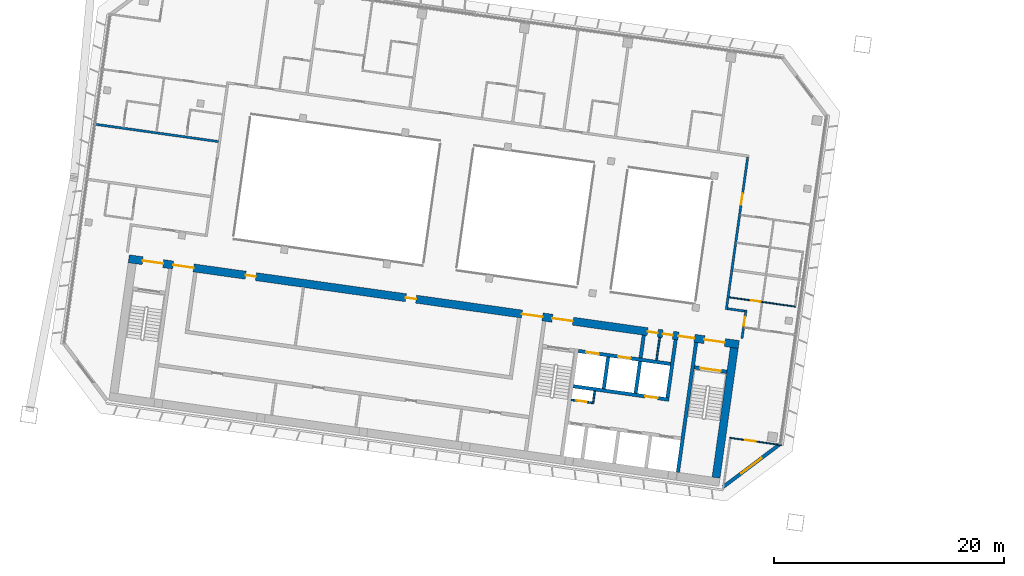
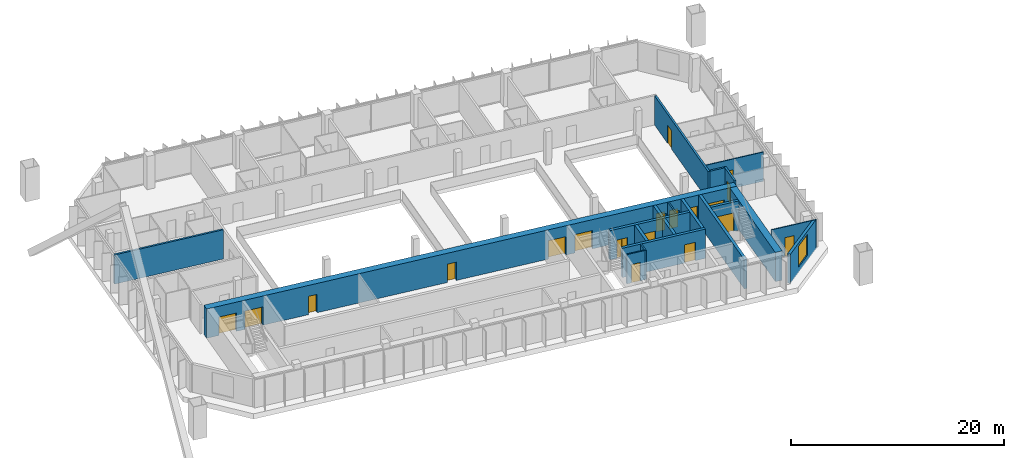
# One storey, part 17 of 28: 20 walls, 19 doors, 1 window, 20 openings.
"""IFC4 building model written with IfcOpenShell, lengths in metres."""

from ifc_helpers import new_model, si_unit, direction, frame, frame_2d, origin, place, context, subcontext, project, spatial, rectangle, extrude, material, layer, layer_set, type_object, element, fill, save


model = new_model("IFC4")

# Units and contexts
model_context = context("Model", 3, precision=1e-05, world=origin(), true_north=direction((0.0, 1.0)))
body_context = subcontext(model_context, "Body", "Model", "MODEL_VIEW")
ifc_project = project(units=[si_unit("LENGTHUNIT", "METRE"), si_unit("AREAUNIT", "SQUARE_METRE"), si_unit("VOLUMEUNIT", "CUBIC_METRE"), si_unit("PLANEANGLEUNIT", "RADIAN"), si_unit("MASSUNIT", "GRAM", prefix="KILO")], contexts=[model_context])

# Site, building, storey
site_placement = place(None, origin())
site = spatial("IfcSite", under=ifc_project, at=site_placement, CompositionType="ELEMENT")
building_placement = place(site_placement, origin())
building = spatial("IfcBuilding", under=site, at=building_placement, Name="Mirante Cascada Hotel Towers", CompositionType="ELEMENT")
storey_placement = place(building_placement, frame((0.0, 0.0, 165.0)))
storey = spatial("IfcBuildingStorey", under=building, at=storey_placement, Name="L38", CompositionType="ELEMENT", Elevation=165.0)

# Walls
ifc_material_1 = material(Name="Fire-rated plasterboard on metal studs")
ifc_layer_1 = layer(ifc_material_1, 0.2)
ifc_layer_set_1 = layer_set([ifc_layer_1], Name="Compartment wall 200 EI 120")
wall_type_1 = type_object("IfcWallType", Name="Compartment wall 200 EI 120", PredefinedType="PARTITIONING", material=ifc_layer_set_1)
wall_1_placement = place(storey_placement, frame((-35.0284, -4.7267, 0.0), z_axis=(0.0, 0.0, 1.0), x_axis=(-0.9902735, 0.1391343, 0.0)))
element("IfcWall", 1, at=wall_1_placement, inside=storey, type_object=wall_type_1, Name="Wall 1-L38-03", PredefinedType="PARTITIONING", context=body_context, shape_type="SweptSolid", body=[
    extrude(rectangle(XDim=1.5, YDim=0.2, at=frame_2d((0.75, 0.0))), origin(), (0.0, 0.0, 1.0), 3.35),
])
wall_2_placement = place(storey_placement, frame((-80.8213, 10.0233, 0.0), z_axis=(0.0, 0.0, 1.0), x_axis=(-0.990268, 0.1391733, 0.0)))
element("IfcWall", 2, at=wall_2_placement, inside=storey, type_object=wall_type_1, Name="Wall 1-L38-11", PredefinedType="PARTITIONING", context=body_context, shape_type="SweptSolid", body=[
    extrude(rectangle(XDim=11.0, YDim=0.2, at=frame_2d((5.5, 0.0))), origin(), (0.0, 0.0, 1.0), 3.35),
])

# Wall, opening, door
wall_3_placement = place(storey_placement, frame((-34.9155, -4.6416, 0.0), z_axis=(0.0, 0.0, 1.0), x_axis=(-0.1391586, -0.9902701, 0.0)))
wall_3 = element("IfcWall", 3, at=wall_3_placement, inside=storey, type_object=wall_type_1, Name="Wall 1-L38-28", PredefinedType="PARTITIONING", context=body_context, shape_type="SweptSolid", body=[
    extrude(rectangle(XDim=2.5, YDim=0.2, at=frame_2d((1.25, 0.0))), origin(), (0.0, 0.0, 1.0), 3.35),
])
opening_1_placement = place(wall_3_placement, frame((0.5833, 0.0, 0.0)))
opening_1 = element("IfcOpeningElement", 4, at=opening_1_placement, cuts=wall_3, Name="Opening D1-L38-27", PredefinedType="OPENING", context=body_context, shape_type="SweptSolid", body=[
    extrude(rectangle(XDim=0.8, YDim=2.1, at=frame_2d((0.4, 1.05))), frame((0.0, 0.1, 0.0), z_axis=(0.0, -1.0, 0.0), x_axis=(1.0, 0.0, 0.0)), (0.0, 0.0, 1.0), 0.2),
])
ifc_material_2 = material(Name="Fire-rated timber door leaf", Category="wood")
door_type_1 = type_object("IfcDoorType", Name="Bathroom door DG4 800x2100 EI 60", OperationType="SINGLE_SWING_LEFT", PredefinedType="DOOR", material=ifc_material_2)
door_1_placement = place(opening_1_placement, frame((0.8, 0.0, 0.0), z_axis=(0.0, 0.0, 1.0), x_axis=(-1.0, 0.0, 0.0)))
door_1 = element("IfcDoor", 5, at=door_1_placement, inside=storey, type_object=door_type_1, Name="Door D1-L38-27", OperationType="SINGLE_SWING_RIGHT", OverallHeight=2.1, OverallWidth=0.8, PredefinedType="DOOR", context=body_context, shape_type="SweptSolid", body=[
    extrude(rectangle(XDim=0.8, YDim=2.1, at=frame_2d((0.4, 1.05))), frame((0.0, 0.025, 0.0), z_axis=(0.0, -1.0, 0.0), x_axis=(1.0, 0.0, 0.0)), (0.0, 0.0, 1.0), 0.05),
])
fill(opening_1, door_1)

wall_4_placement = place(storey_placement, frame((-36.6268, -4.6031, 0.0), z_axis=(0.0, 0.0, 1.0), x_axis=(0.1391789, 0.9902673, 0.0)))
wall_4 = element("IfcWall", 6, at=wall_4_placement, inside=storey, type_object=wall_type_1, Name="Wall 1-L38-29", PredefinedType="PARTITIONING", context=body_context, shape_type="SweptSolid", body=[
    extrude(rectangle(XDim=13.4, YDim=0.2, at=frame_2d((6.7, 0.0))), origin(), (0.0, 0.0, 1.0), 3.35),
])
opening_2_placement = place(wall_4_placement, frame((9.2166, 0.0, 0.0)))
opening_2 = element("IfcOpeningElement", 7, at=opening_2_placement, cuts=wall_4, Name="Opening D1-L38-28", PredefinedType="OPENING", context=body_context, shape_type="SweptSolid", body=[
    extrude(rectangle(XDim=1.0, YDim=2.1, at=frame_2d((0.5, 1.05))), frame((0.0, 0.1, 0.0), z_axis=(0.0, -1.0, 0.0), x_axis=(1.0, 0.0, 0.0)), (0.0, 0.0, 1.0), 0.2),
])
ifc_material_3 = material(Name="Fire-rated timber door leaf", Category="wood")
door_type_2 = type_object("IfcDoorType", Name="Entrance door DG1 1000x2100 EI 60", OperationType="SINGLE_SWING_LEFT", PredefinedType="DOOR", material=ifc_material_3)
door_2_placement = place(opening_2_placement, frame((1.0, 0.0, 0.0), z_axis=(0.0, 0.0, 1.0), x_axis=(-1.0, 0.0, 0.0)))
door_2 = element("IfcDoor", 8, at=door_2_placement, inside=storey, type_object=door_type_2, Name="Door D1-L38-28", OperationType="SINGLE_SWING_RIGHT", OverallHeight=2.1, OverallWidth=1.0, PredefinedType="DOOR", context=body_context, shape_type="SweptSolid", body=[
    extrude(rectangle(XDim=1.0, YDim=2.1, at=frame_2d((0.5, 1.05))), frame((0.0, 0.025, 0.0), z_axis=(0.0, -1.0, 0.0), x_axis=(1.0, 0.0, 0.0)), (0.0, 0.0, 1.0), 0.05),
])
fill(opening_2, door_2)

# Wall
ifc_material_4 = material(Name="Masonry block", Category="masonry")
ifc_layer_2 = layer(ifc_material_4, 0.15)
ifc_layer_set_2 = layer_set([ifc_layer_2], Name="Core room partition 150 block EI 30")
wall_type_2 = type_object("IfcWallType", Name="Core room partition 150 block EI 30", PredefinedType="PARTITIONING", material=ifc_layer_set_2)
wall_5_placement = place(storey_placement, frame((-48.2295, -12.793, 0.0), z_axis=(0.0, 0.0, 1.0), x_axis=(0.1391935, 0.9902652, 0.0)))
element("IfcWall", 9, at=wall_5_placement, inside=storey, type_object=wall_type_2, Name="Core wall partition T1 L38 2", PredefinedType="PARTITIONING", context=body_context, shape_type="SweptSolid", body=[
    extrude(rectangle(XDim=1.1251, YDim=0.15, at=frame_2d((0.5626, 0.0))), origin(), (0.0, 0.0, 1.0), 3.35),
])

# Wall, opening, door
wall_6_placement = place(storey_placement, frame((-48.2933, -12.7083, 0.0), z_axis=(0.0, 0.0, 1.0), x_axis=(-0.990268, 0.1391734, 0.0)))
wall_6 = element("IfcWall", 10, at=wall_6_placement, inside=storey, type_object=wall_type_2, Name="Core wall partition T1 L38 3", PredefinedType="PARTITIONING", context=body_context, shape_type="SweptSolid", body=[
    extrude(rectangle(XDim=1.8251, YDim=0.15, at=frame_2d((0.9126, 0.0))), origin(), (0.0, 0.0, 1.0), 3.35),
])
opening_3_placement = place(wall_6_placement, frame((0.4625, 0.0, 0.0)))
opening_3 = element("IfcOpeningElement", 11, at=opening_3_placement, cuts=wall_6, Name="Opening D1-38-C17", PredefinedType="OPENING", context=body_context, shape_type="SweptSolid", body=[
    extrude(rectangle(XDim=0.9, YDim=2.1, at=frame_2d((0.45, 1.05))), frame((0.0, 0.075, 0.0), z_axis=(0.0, -1.0, 0.0), x_axis=(1.0, 0.0, 0.0)), (0.0, 0.0, 1.0), 0.15),
])
ifc_material_5 = material(Name="Hollow metal fire door leaf")
door_type_3 = type_object("IfcDoorType", Name="Fire door 900x2100 FD60", OperationType="NOTDEFINED", PredefinedType="DOOR", material=ifc_material_5)
door_3_placement = place(opening_3_placement, origin())
door_3 = element("IfcDoor", 12, at=door_3_placement, inside=storey, type_object=door_type_3, Name="Riser door T1 L38 17", OperationType="SINGLE_SWING_LEFT", OverallHeight=2.1, OverallWidth=0.9, PredefinedType="DOOR", context=body_context, shape_type="SweptSolid", body=[
    extrude(rectangle(XDim=0.9, YDim=2.1, at=frame_2d((0.45, 1.05))), frame((0.0, 0.025, 0.0), z_axis=(0.0, -1.0, 0.0), x_axis=(1.0, 0.0, 0.0)), (0.0, 0.0, 1.0), 0.05),
])
fill(opening_3, door_3)

# Walls
wall_7_placement = place(storey_placement, frame((-42.6979, -9.0009, 0.0), z_axis=(0.0, 0.0, 1.0), x_axis=(0.1391529, 0.9902709, 0.0)))
element("IfcWall", 13, at=wall_7_placement, inside=storey, type_object=wall_type_2, Name="Core wall partition T1 L38 4", PredefinedType="PARTITIONING", context=body_context, shape_type="SweptSolid", body=[
    extrude(rectangle(XDim=2.0, YDim=0.15, at=frame_2d((1.0, 0.0))), origin(), (0.0, 0.0, 1.0), 3.35),
])
ifc_material_6 = material(Name="Masonry block", Category="masonry")
ifc_layer_3 = layer(ifc_material_6, 0.3)
ifc_layer_set_3 = layer_set([ifc_layer_3], Name="Core wall 300 block EI 120")
wall_type_3 = type_object("IfcWallType", Name="Core wall 300 block EI 120", PredefinedType="PARTITIONING", material=ifc_layer_set_3)
wall_8_placement = place(storey_placement, frame((-44.0843, -8.8061, 0.0), z_axis=(0.0, 0.0, 1.0), x_axis=(0.1391951, 0.990265, 0.0)))
element("IfcWall", 14, at=wall_8_placement, inside=storey, type_object=wall_type_3, Name="Core wall partition T1 L38 1", PredefinedType="PARTITIONING", context=body_context, shape_type="SweptSolid", body=[
    extrude(rectangle(XDim=2.0001, YDim=0.3, at=frame_2d((1.0001, 0.0))), origin(), (0.0, 0.0, 1.0), 3.35),
])

# Wall, opening, door
ifc_material_7 = material(Name="Plasterboard on metal studs")
ifc_layer_4 = layer(ifc_material_7, 0.1)
ifc_layer_set_4 = layer_set([ifc_layer_4], Name="Partition 100")
wall_type_4 = type_object("IfcWallType", Name="Partition 100", PredefinedType="PARTITIONING", material=ifc_layer_set_4)
wall_9_placement = place(storey_placement, frame((-31.8172, -16.3871, 0.0), z_axis=(0.0, 0.0, 1.0), x_axis=(-0.9902691, 0.1391656, 0.0)))
wall_9 = element("IfcWall", 15, at=wall_9_placement, inside=storey, type_object=wall_type_4, Name="Wall 1-L38-01", PredefinedType="PARTITIONING", context=body_context, shape_type="SweptSolid", body=[
    extrude(rectangle(XDim=4.55, YDim=0.1, at=frame_2d((2.275, 0.0))), origin(), (0.0, 0.0, 1.0), 3.35),
])
opening_4_placement = place(wall_9_placement, frame((2.2711, 0.0, 0.0)))
opening_4 = element("IfcOpeningElement", 16, at=opening_4_placement, cuts=wall_9, Name="Opening D1-L38-01", PredefinedType="OPENING", context=body_context, shape_type="SweptSolid", body=[
    extrude(rectangle(XDim=0.9, YDim=2.1, at=frame_2d((0.45, 1.05))), frame((0.0, 0.05, 0.0), z_axis=(0.0, -1.0, 0.0), x_axis=(1.0, 0.0, 0.0)), (0.0, 0.0, 1.0), 0.1),
])
ifc_material_8 = material(Name="Timber door leaf", Category="wood")
door_type_4 = type_object("IfcDoorType", Name="Room door DG3 900x2100", OperationType="SINGLE_SWING_LEFT", PredefinedType="DOOR", material=ifc_material_8)
door_4_placement = place(opening_4_placement, frame((0.9, 0.0, 0.0), z_axis=(0.0, 0.0, 1.0), x_axis=(-1.0, 0.0, 0.0)))
door_4 = element("IfcDoor", 17, at=door_4_placement, inside=storey, type_object=door_type_4, Name="Door D1-L38-01", OperationType="SINGLE_SWING_RIGHT", OverallHeight=2.1, OverallWidth=0.9, PredefinedType="DOOR", context=body_context, shape_type="SweptSolid", body=[
    extrude(rectangle(XDim=0.9, YDim=2.1, at=frame_2d((0.45, 1.05))), frame((0.0, 0.025, 0.0), z_axis=(0.0, -1.0, 0.0), x_axis=(1.0, 0.0, 0.0)), (0.0, 0.0, 1.0), 0.05),
])
fill(opening_4, door_4)

wall_10_placement = place(storey_placement, frame((-36.3747, -3.5277, 0.0), z_axis=(0.0, 0.0, 1.0), x_axis=(0.9902696, -0.1391624, 0.0)))
wall_10 = element("IfcWall", 18, at=wall_10_placement, inside=storey, type_object=wall_type_4, Name="Wall 1-L38-06", PredefinedType="PARTITIONING", context=body_context, shape_type="SweptSolid", body=[
    extrude(rectangle(XDim=5.8514, YDim=0.1, at=frame_2d((2.9257, 0.0))), origin(), (0.0, 0.0, 1.0), 3.35),
])
opening_5_placement = place(wall_10_placement, frame((1.9514, 0.0, 0.0)))
opening_5 = element("IfcOpeningElement", 19, at=opening_5_placement, cuts=wall_10, Name="Opening D1-L38-05", PredefinedType="OPENING", context=body_context, shape_type="SweptSolid", body=[
    extrude(rectangle(XDim=0.8, YDim=2.1, at=frame_2d((0.4, 1.05))), frame((0.0, 0.05, 0.0), z_axis=(0.0, -1.0, 0.0), x_axis=(1.0, 0.0, 0.0)), (0.0, 0.0, 1.0), 0.1),
])
ifc_material_9 = material(Name="Timber door leaf", Category="wood")
door_type_5 = type_object("IfcDoorType", Name="Bathroom door DG4 800x2100", OperationType="SINGLE_SWING_LEFT", PredefinedType="DOOR", material=ifc_material_9)
door_5_placement = place(opening_5_placement, origin())
door_5 = element("IfcDoor", 20, at=door_5_placement, inside=storey, type_object=door_type_5, Name="Door D1-L38-05", OperationType="SINGLE_SWING_LEFT", OverallHeight=2.1, OverallWidth=0.8, PredefinedType="DOOR", context=body_context, shape_type="SweptSolid", body=[
    extrude(rectangle(XDim=0.8, YDim=2.1, at=frame_2d((0.4, 1.05))), frame((0.0, 0.025, 0.0), z_axis=(0.0, -1.0, 0.0), x_axis=(1.0, 0.0, 0.0)), (0.0, 0.0, 1.0), 0.05),
])
fill(opening_5, door_5)

# Wall, opening, window
ifc_material_10 = material(Name="Precast concrete C40/50", Category="concrete")
ifc_layer_5 = layer(ifc_material_10, 0.3)
ifc_layer_set_5 = layer_set([ifc_layer_5], Name="Precast concrete C40/50 cladding wall 300")
wall_type_5 = type_object("IfcWallType", Name="Precast concrete C40/50 cladding wall 300", PredefinedType="STANDARD", material=ifc_layer_set_5)
wall_11_placement = place(storey_placement, frame((-32.0066, -16.342, 0.0), z_axis=(0.0, 0.0, 1.0), x_axis=(-0.7986362, -0.6018141, 0.0)))
wall_11 = element("IfcWall", 21, at=wall_11_placement, inside=storey, type_object=wall_type_5, Name="Corner cladding wall T1 L38 inner rear", PredefinedType="STANDARD", context=body_context, shape_type="SweptSolid", body=[
    extrude(rectangle(XDim=6.1157, YDim=0.3, at=frame_2d((3.0578, 0.0))), origin(), (0.0, 0.0, 1.0), 3.35),
])
opening_6_placement = place(wall_11_placement, frame((1.9578, 0.0, 0.6)))
opening_6 = element("IfcOpeningElement", 22, at=opening_6_placement, cuts=wall_11, Name="Opening W1-38-04", PredefinedType="OPENING", context=body_context, shape_type="SweptSolid", body=[
    extrude(rectangle(XDim=2.2, YDim=2.4, at=frame_2d((1.1, 1.2))), frame((0.0, 0.15, 0.0), z_axis=(0.0, -1.0, 0.0), x_axis=(1.0, 0.0, 0.0)), (0.0, 0.0, 1.0), 0.3),
])
ifc_material_11 = material(Name="Aluminium frame with clear double glazing", Category="aluminium")
window_type = type_object("IfcWindowType", Name="Corner suite window 2200x2400", PartitioningType="DOUBLE_PANEL_VERTICAL", PredefinedType="WINDOW", material=ifc_material_11)
window_placement = place(opening_6_placement, origin())
window = element("IfcWindow", 23, at=window_placement, inside=storey, type_object=window_type, Name="Window W1-38-04", OverallHeight=2.4, OverallWidth=2.2, PartitioningType="SINGLE_PANEL", PredefinedType="WINDOW", context=body_context, shape_type="SweptSolid", body=[
    extrude(rectangle(XDim=2.2, YDim=2.4, at=frame_2d((1.1, 1.2))), frame((0.0, 0.03, 0.0), z_axis=(0.0, -1.0, 0.0), x_axis=(1.0, 0.0, 0.0)), (0.0, 0.0, 1.0), 0.06),
])
fill(opening_6, window)

# Wall
ifc_material_12 = material(Name="Concrete C50/60", Category="concrete")
ifc_layer_6 = layer(ifc_material_12, 0.3)
ifc_layer_set_6 = layer_set([ifc_layer_6], Name="RC core wall 300 C50/60")
wall_type_6 = type_object("IfcWallType", Name="RC core wall 300 C50/60", PredefinedType="SHEAR", material=ifc_layer_set_6)
wall_12_placement = place(storey_placement, frame((-40.8373, -18.7548, 0.0), z_axis=(0.0, 0.0, 1.0), x_axis=(0.1391749, 0.9902678, 0.0)))
element("IfcWall", 24, at=wall_12_placement, inside=storey, type_object=wall_type_6, Name="Core wall T1:L38:5", PredefinedType="SHEAR", context=body_context, shape_type="SweptSolid", body=[
    extrude(rectangle(XDim=11.4, YDim=0.3, at=frame_2d((5.7, 0.0))), origin(), (0.0, 0.0, 1.0), 3.35),
])

# Wall, opening, door
wall_13_placement = place(storey_placement, frame((-36.5791, -10.0123, 0.0), z_axis=(0.0, 0.0, 1.0), x_axis=(-0.9902704, 0.1391564, 0.0)))
wall_13 = element("IfcWall", 25, at=wall_13_placement, inside=storey, type_object=wall_type_6, Name="Core wall T1:L38:9", PredefinedType="SHEAR", context=body_context, shape_type="SweptSolid", body=[
    extrude(rectangle(XDim=2.85, YDim=0.3, at=frame_2d((1.425, 0.0))), origin(), (0.0, 0.0, 1.0), 3.35),
])
opening_7_placement = place(wall_13_placement, frame((0.525, 0.0, 0.0)))
opening_7 = element("IfcOpeningElement", 26, at=opening_7_placement, cuts=wall_13, Name="Opening D1-38-C07", PredefinedType="OPENING", context=body_context, shape_type="SweptSolid", body=[
    extrude(rectangle(XDim=1.8, YDim=2.1, at=frame_2d((0.9, 1.05))), frame((0.0, 0.15, 0.0), z_axis=(0.0, -1.0, 0.0), x_axis=(1.0, 0.0, 0.0)), (0.0, 0.0, 1.0), 0.3),
])
ifc_material_13 = material(Name="Hollow metal fire door leaf")
door_type_6 = type_object("IfcDoorType", Name="Double fire door 1800x2100 FD60", OperationType="DOUBLE_DOOR_SINGLE_SWING", PredefinedType="DOOR", material=ifc_material_13)
door_6_placement = place(opening_7_placement, origin())
door_6 = element("IfcDoor", 27, at=door_6_placement, inside=storey, type_object=door_type_6, Name="Stair door T1 L38 7", OperationType="DOUBLE_DOOR_SINGLE_SWING", OverallHeight=2.1, OverallWidth=1.8, PredefinedType="DOOR", context=body_context, shape_type="SweptSolid", body=[
    extrude(rectangle(XDim=0.895, YDim=2.1, at=frame_2d((0.4475, 1.05))), frame((0.0, 0.025, 0.0), z_axis=(0.0, -1.0, 0.0), x_axis=(1.0, 0.0, 0.0)), (0.0, 0.0, 1.0), 0.05),
    extrude(rectangle(XDim=0.895, YDim=2.1, at=frame_2d((1.3525, 1.05))), frame((0.0, 0.025, 0.0), z_axis=(0.0, -1.0, 0.0), x_axis=(1.0, 0.0, 0.0)), (0.0, 0.0, 1.0), 0.05),
])
fill(opening_7, door_6)

wall_14_placement = place(storey_placement, frame((-41.6153, -12.435, 0.0), z_axis=(0.0, 0.0, 1.0), x_axis=(-0.9902691, 0.139166, 0.0)))
wall_14 = element("IfcWall", 28, at=wall_14_placement, inside=storey, type_object=wall_type_6, Name="Core wall T1:L38:13", PredefinedType="SHEAR", context=body_context, shape_type="SweptSolid", body=[
    extrude(rectangle(XDim=8.4, YDim=0.3, at=frame_2d((4.2, 0.0))), origin(), (0.0, 0.0, 1.0), 3.35),
])
opening_8_placement = place(wall_14_placement, frame((1.0, 0.0, 0.0)))
opening_8 = element("IfcOpeningElement", 29, at=opening_8_placement, cuts=wall_14, Name="Opening LD", PredefinedType="OPENING", context=body_context, shape_type="SweptSolid", body=[
    extrude(rectangle(XDim=1.1, YDim=2.1, at=frame_2d((0.55, 1.05))), frame((0.0, 0.15, 0.0), z_axis=(0.0, -1.0, 0.0), x_axis=(1.0, 0.0, 0.0)), (0.0, 0.0, 1.0), 0.3),
])
ifc_material_14 = material(Name="Stainless steel", Category="steel")
door_type_7 = type_object("IfcDoorType", Name="Lift landing door 1100x2100 EI 120", OperationType="DOUBLE_DOOR_SLIDING", PredefinedType="DOOR", material=ifc_material_14)
door_7_placement = place(opening_8_placement, origin())
door_7 = element("IfcDoor", 30, at=door_7_placement, inside=storey, type_object=door_type_7, Name="Lift landing door HR1-4 L38", OperationType="DOUBLE_DOOR_SLIDING", OverallHeight=2.1, OverallWidth=1.1, PredefinedType="DOOR", context=body_context, shape_type="SweptSolid", body=[
    extrude(rectangle(XDim=0.545, YDim=2.1, at=frame_2d((0.2725, 1.05))), frame((0.0, 0.025, 0.0), z_axis=(0.0, -1.0, 0.0), x_axis=(1.0, 0.0, 0.0)), (0.0, 0.0, 1.0), 0.05),
    extrude(rectangle(XDim=0.545, YDim=2.1, at=frame_2d((0.8275, 1.05))), frame((0.0, 0.025, 0.0), z_axis=(0.0, -1.0, 0.0), x_axis=(1.0, 0.0, 0.0)), (0.0, 0.0, 1.0), 0.05),
])
fill(opening_8, door_7)

# Wall, openings, doors
wall_15_placement = place(storey_placement, frame((-41.481, -9.3234, 0.0), z_axis=(0.0, 0.0, 1.0), x_axis=(-0.9902679, 0.1391741, 0.0)))
wall_15 = element("IfcWall", 31, at=wall_15_placement, inside=storey, type_object=wall_type_6, Name="Core wall T1:L38:14", PredefinedType="SHEAR", context=body_context, shape_type="SweptSolid", body=[
    extrude(rectangle(XDim=8.0999, YDim=0.3, at=frame_2d((4.05, 0.0))), origin(), (0.0, 0.0, 1.0), 3.35),
])
opening_9_placement = place(wall_15_placement, frame((3.5, 0.0, 0.0)))
opening_9 = element("IfcOpeningElement", 32, at=opening_9_placement, cuts=wall_15, Name="Opening LD", PredefinedType="OPENING", context=body_context, shape_type="SweptSolid", body=[
    extrude(rectangle(XDim=1.1, YDim=2.1, at=frame_2d((0.55, 1.05))), frame((0.0, 0.15, 0.0), z_axis=(0.0, -1.0, 0.0), x_axis=(1.0, 0.0, 0.0)), (0.0, 0.0, 1.0), 0.3),
])
opening_10_placement = place(wall_15_placement, frame((6.3, 0.0, 0.0)))
opening_10 = element("IfcOpeningElement", 33, at=opening_10_placement, cuts=wall_15, Name="Opening LD", PredefinedType="OPENING", context=body_context, shape_type="SweptSolid", body=[
    extrude(rectangle(XDim=1.1, YDim=2.1, at=frame_2d((0.55, 1.05))), frame((0.0, 0.15, 0.0), z_axis=(0.0, -1.0, 0.0), x_axis=(1.0, 0.0, 0.0)), (0.0, 0.0, 1.0), 0.3),
])
door_8_placement = place(opening_9_placement, origin())
door_8 = element("IfcDoor", 34, at=door_8_placement, inside=storey, type_object=door_type_7, Name="Lift landing door FF1 L38", OperationType="DOUBLE_DOOR_SLIDING", OverallHeight=2.1, OverallWidth=1.1, PredefinedType="DOOR", context=body_context, shape_type="SweptSolid", body=[
    extrude(rectangle(XDim=0.545, YDim=2.1, at=frame_2d((0.2725, 1.05))), frame((0.0, 0.025, 0.0), z_axis=(0.0, -1.0, 0.0), x_axis=(1.0, 0.0, 0.0)), (0.0, 0.0, 1.0), 0.05),
    extrude(rectangle(XDim=0.545, YDim=2.1, at=frame_2d((0.8275, 1.05))), frame((0.0, 0.025, 0.0), z_axis=(0.0, -1.0, 0.0), x_axis=(1.0, 0.0, 0.0)), (0.0, 0.0, 1.0), 0.05),
])
fill(opening_9, door_8)
door_9_placement = place(opening_10_placement, origin())
door_9 = element("IfcDoor", 35, at=door_9_placement, inside=storey, type_object=door_type_7, Name="Lift landing door FF2 L38", OperationType="DOUBLE_DOOR_SLIDING", OverallHeight=2.1, OverallWidth=1.1, PredefinedType="DOOR", context=body_context, shape_type="SweptSolid", body=[
    extrude(rectangle(XDim=0.545, YDim=2.1, at=frame_2d((0.2725, 1.05))), frame((0.0, 0.025, 0.0), z_axis=(0.0, -1.0, 0.0), x_axis=(1.0, 0.0, 0.0)), (0.0, 0.0, 1.0), 0.05),
    extrude(rectangle(XDim=0.545, YDim=2.1, at=frame_2d((0.8275, 1.05))), frame((0.0, 0.025, 0.0), z_axis=(0.0, -1.0, 0.0), x_axis=(1.0, 0.0, 0.0)), (0.0, 0.0, 1.0), 0.05),
])
fill(opening_10, door_9)

# Walls
for number, where, z_axis, x_axis, name in (
    (36, (-44.5157, -11.8759, 0.0), (0.0, 0.0, 1.0), (0.139181, 0.990267, 0.0), "Core wall T1:L38:18"),
    (37, (-47.2885, -11.4862, 0.0), (0.0, 0.0, 1.0), (0.139181, 0.990267, 0.0), "Core wall T1:L38:19"),
):
    element("IfcWall", number, at=place(storey_placement, frame(where, z_axis=z_axis, x_axis=x_axis)), inside=storey, type_object=wall_type_6, Name=name, PredefinedType="SHEAR", context=body_context, shape_type="SweptSolid", body=[
        extrude(rectangle(XDim=2.8, YDim=0.3, at=frame_2d((1.4, 0.0))), origin(), (0.0, 0.0, 1.0), 3.35),
    ])
wall_16_placement = place(storey_placement, frame((-41.743, -12.2656, 0.0), z_axis=(0.0, 0.0, 1.0), x_axis=(0.1391755, 0.9902677, 0.0)))
element("IfcWall", 38, at=wall_16_placement, inside=storey, type_object=wall_type_6, Name="Core wall T1:L38:20", PredefinedType="SHEAR", context=body_context, shape_type="SweptSolid", body=[
    extrude(rectangle(XDim=5.1, YDim=0.3, at=frame_2d((2.55, 0.0))), origin(), (0.0, 0.0, 1.0), 3.35),
])

# Wall, openings, doors
ifc_material_15 = material(Name="Concrete C50/60", Category="concrete")
ifc_layer_7 = layer(ifc_material_15, 0.7)
ifc_layer_set_7 = layer_set([ifc_layer_7], Name="RC core wall 700 C50/60")
wall_type_7 = type_object("IfcWallType", Name="RC core wall 700 C50/60", PredefinedType="SHEAR", material=ifc_layer_set_7)
wall_17_placement = place(storey_placement, frame((-35.538, -7.6341, 0.0), z_axis=(0.0, 0.0, 1.0), x_axis=(-0.990268, 0.1391734, 0.0)))
wall_17 = element("IfcWall", 39, at=wall_17_placement, inside=storey, type_object=wall_type_7, Name="Core wall T1:L38:2", PredefinedType="SHEAR", context=body_context, shape_type="SweptSolid", body=[
    extrude(rectangle(XDim=53.6, YDim=0.7, at=frame_2d((26.8, 0.0))), origin(), (0.0, 0.0, 1.0), 3.35),
])
opening_11_placement = place(wall_17_placement, frame((1.225, 0.0, 0.0)))
opening_11 = element("IfcOpeningElement", 40, at=opening_11_placement, cuts=wall_17, Name="Opening D1-38-C08", PredefinedType="OPENING", context=body_context, shape_type="SweptSolid", body=[
    extrude(rectangle(XDim=1.8, YDim=2.1, at=frame_2d((0.9, 1.05))), frame((0.0, 0.35, 0.0), z_axis=(0.0, -1.0, 0.0), x_axis=(1.0, 0.0, 0.0)), (0.0, 0.0, 1.0), 0.7),
])
opening_12_placement = place(wall_17_placement, frame((14.575, 0.0, 0.0)))
opening_12 = element("IfcOpeningElement", 41, at=opening_12_placement, cuts=wall_17, Name="Opening D1-38-C10", PredefinedType="OPENING", context=body_context, shape_type="SweptSolid", body=[
    extrude(rectangle(XDim=1.8, YDim=2.1, at=frame_2d((0.9, 1.05))), frame((0.0, 0.35, 0.0), z_axis=(0.0, -1.0, 0.0), x_axis=(1.0, 0.0, 0.0)), (0.0, 0.0, 1.0), 0.7),
])
opening_13_placement = place(wall_17_placement, frame((50.575, 0.0, 0.0)))
opening_13 = element("IfcOpeningElement", 42, at=opening_13_placement, cuts=wall_17, Name="Opening D1-38-C12", PredefinedType="OPENING", context=body_context, shape_type="SweptSolid", body=[
    extrude(rectangle(XDim=1.8, YDim=2.1, at=frame_2d((0.9, 1.05))), frame((0.0, 0.35, 0.0), z_axis=(0.0, -1.0, 0.0), x_axis=(1.0, 0.0, 0.0)), (0.0, 0.0, 1.0), 0.7),
])
opening_14_placement = place(wall_17_placement, frame((3.9, 0.0, 0.0)))
opening_14 = element("IfcOpeningElement", 43, at=opening_14_placement, cuts=wall_17, Name="Opening D1-38-C13", PredefinedType="OPENING", context=body_context, shape_type="SweptSolid", body=[
    extrude(rectangle(XDim=1.4, YDim=2.1, at=frame_2d((0.7, 1.05))), frame((0.0, 0.35, 0.0), z_axis=(0.0, -1.0, 0.0), x_axis=(1.0, 0.0, 0.0)), (0.0, 0.0, 1.0), 0.7),
])
opening_15_placement = place(wall_17_placement, frame((17.25, 0.0, 0.0)))
opening_15 = element("IfcOpeningElement", 44, at=opening_15_placement, cuts=wall_17, Name="Opening D1-38-C14", PredefinedType="OPENING", context=body_context, shape_type="SweptSolid", body=[
    extrude(rectangle(XDim=1.8, YDim=2.1, at=frame_2d((0.9, 1.05))), frame((0.0, 0.35, 0.0), z_axis=(0.0, -1.0, 0.0), x_axis=(1.0, 0.0, 0.0)), (0.0, 0.0, 1.0), 0.7),
])
opening_16_placement = place(wall_17_placement, frame((47.9, 0.0, 0.0)))
opening_16 = element("IfcOpeningElement", 45, at=opening_16_placement, cuts=wall_17, Name="Opening D1-38-C15", PredefinedType="OPENING", context=body_context, shape_type="SweptSolid", body=[
    extrude(rectangle(XDim=1.8, YDim=2.1, at=frame_2d((0.9, 1.05))), frame((0.0, 0.35, 0.0), z_axis=(0.0, -1.0, 0.0), x_axis=(1.0, 0.0, 0.0)), (0.0, 0.0, 1.0), 0.7),
])
opening_17_placement = place(wall_17_placement, frame((5.7875, 0.0, 0.0)))
opening_17 = element("IfcOpeningElement", 46, at=opening_17_placement, cuts=wall_17, Name="Opening D1-38-C18", PredefinedType="OPENING", context=body_context, shape_type="SweptSolid", body=[
    extrude(rectangle(XDim=0.9, YDim=2.1, at=frame_2d((0.45, 1.05))), frame((0.0, 0.35, 0.0), z_axis=(0.0, -1.0, 0.0), x_axis=(1.0, 0.0, 0.0)), (0.0, 0.0, 1.0), 0.7),
])
opening_18_placement = place(wall_17_placement, frame((7.1125, 0.0, 0.0)))
opening_18 = element("IfcOpeningElement", 47, at=opening_18_placement, cuts=wall_17, Name="Opening D1-38-C19", PredefinedType="OPENING", context=body_context, shape_type="SweptSolid", body=[
    extrude(rectangle(XDim=0.9, YDim=2.1, at=frame_2d((0.45, 1.05))), frame((0.0, 0.35, 0.0), z_axis=(0.0, -1.0, 0.0), x_axis=(1.0, 0.0, 0.0)), (0.0, 0.0, 1.0), 0.7),
])
opening_19_placement = place(wall_17_placement, frame((28.35, 0.0, 0.0)))
opening_19 = element("IfcOpeningElement", 48, at=opening_19_placement, cuts=wall_17, Name="Opening D1-38-C24", PredefinedType="OPENING", context=body_context, shape_type="SweptSolid", body=[
    extrude(rectangle(XDim=0.9, YDim=2.1, at=frame_2d((0.45, 1.05))), frame((0.0, 0.35, 0.0), z_axis=(0.0, -1.0, 0.0), x_axis=(1.0, 0.0, 0.0)), (0.0, 0.0, 1.0), 0.7),
])
opening_20_placement = place(wall_17_placement, frame((42.425, 0.0, 0.0)))
opening_20 = element("IfcOpeningElement", 49, at=opening_20_placement, cuts=wall_17, Name="Opening D1-38-C25", PredefinedType="OPENING", context=body_context, shape_type="SweptSolid", body=[
    extrude(rectangle(XDim=0.9, YDim=2.1, at=frame_2d((0.45, 1.05))), frame((0.0, 0.35, 0.0), z_axis=(0.0, -1.0, 0.0), x_axis=(1.0, 0.0, 0.0)), (0.0, 0.0, 1.0), 0.7),
])
ifc_material_16 = material(Name="Hollow metal fire door leaf")
door_type_8 = type_object("IfcDoorType", Name="Double fire door 1400x2100 FD60", OperationType="DOUBLE_DOOR_SINGLE_SWING", PredefinedType="DOOR", material=ifc_material_16)
door_10_placement = place(opening_14_placement, frame((1.4, 0.0, 0.0), z_axis=(0.0, 0.0, 1.0), x_axis=(-1.0, 0.0, 0.0)))
door_10 = element("IfcDoor", 50, at=door_10_placement, inside=storey, type_object=door_type_8, Name="Exit door to gallery T1 L38 13", OperationType="DOUBLE_DOOR_SINGLE_SWING", OverallHeight=2.1, OverallWidth=1.4, PredefinedType="DOOR", context=body_context, shape_type="SweptSolid", body=[
    extrude(rectangle(XDim=0.695, YDim=2.1, at=frame_2d((0.3475, 1.05))), frame((0.0, 0.025, 0.0), z_axis=(0.0, -1.0, 0.0), x_axis=(1.0, 0.0, 0.0)), (0.0, 0.0, 1.0), 0.05),
    extrude(rectangle(XDim=0.695, YDim=2.1, at=frame_2d((1.0525, 1.05))), frame((0.0, 0.025, 0.0), z_axis=(0.0, -1.0, 0.0), x_axis=(1.0, 0.0, 0.0)), (0.0, 0.0, 1.0), 0.05),
])
fill(opening_14, door_10)
door_11_placement = place(opening_11_placement, origin())
door_11 = element("IfcDoor", 51, at=door_11_placement, inside=storey, type_object=door_type_6, Name="Exit door to gallery T1 L38 8", OperationType="DOUBLE_DOOR_SINGLE_SWING", OverallHeight=2.1, OverallWidth=1.8, PredefinedType="DOOR", context=body_context, shape_type="SweptSolid", body=[
    extrude(rectangle(XDim=0.895, YDim=2.1, at=frame_2d((0.4475, 1.05))), frame((0.0, 0.025, 0.0), z_axis=(0.0, -1.0, 0.0), x_axis=(1.0, 0.0, 0.0)), (0.0, 0.0, 1.0), 0.05),
    extrude(rectangle(XDim=0.895, YDim=2.1, at=frame_2d((1.3525, 1.05))), frame((0.0, 0.025, 0.0), z_axis=(0.0, -1.0, 0.0), x_axis=(1.0, 0.0, 0.0)), (0.0, 0.0, 1.0), 0.05),
])
fill(opening_11, door_11)
door_12_placement = place(opening_12_placement, origin())
door_12 = element("IfcDoor", 52, at=door_12_placement, inside=storey, type_object=door_type_6, Name="Exit door to gallery T1 L38 10", OperationType="DOUBLE_DOOR_SINGLE_SWING", OverallHeight=2.1, OverallWidth=1.8, PredefinedType="DOOR", context=body_context, shape_type="SweptSolid", body=[
    extrude(rectangle(XDim=0.895, YDim=2.1, at=frame_2d((0.4475, 1.05))), frame((0.0, 0.025, 0.0), z_axis=(0.0, -1.0, 0.0), x_axis=(1.0, 0.0, 0.0)), (0.0, 0.0, 1.0), 0.05),
    extrude(rectangle(XDim=0.895, YDim=2.1, at=frame_2d((1.3525, 1.05))), frame((0.0, 0.025, 0.0), z_axis=(0.0, -1.0, 0.0), x_axis=(1.0, 0.0, 0.0)), (0.0, 0.0, 1.0), 0.05),
])
fill(opening_12, door_12)
door_13_placement = place(opening_13_placement, origin())
door_13 = element("IfcDoor", 53, at=door_13_placement, inside=storey, type_object=door_type_6, Name="Exit door to gallery T1 L38 12", OperationType="DOUBLE_DOOR_SINGLE_SWING", OverallHeight=2.1, OverallWidth=1.8, PredefinedType="DOOR", context=body_context, shape_type="SweptSolid", body=[
    extrude(rectangle(XDim=0.895, YDim=2.1, at=frame_2d((0.4475, 1.05))), frame((0.0, 0.025, 0.0), z_axis=(0.0, -1.0, 0.0), x_axis=(1.0, 0.0, 0.0)), (0.0, 0.0, 1.0), 0.05),
    extrude(rectangle(XDim=0.895, YDim=2.1, at=frame_2d((1.3525, 1.05))), frame((0.0, 0.025, 0.0), z_axis=(0.0, -1.0, 0.0), x_axis=(1.0, 0.0, 0.0)), (0.0, 0.0, 1.0), 0.05),
])
fill(opening_13, door_13)
door_14_placement = place(opening_15_placement, frame((1.8, 0.0, 0.0), z_axis=(0.0, 0.0, 1.0), x_axis=(-1.0, 0.0, 0.0)))
door_14 = element("IfcDoor", 54, at=door_14_placement, inside=storey, type_object=door_type_6, Name="Exit door to gallery T1 L38 14", OperationType="DOUBLE_DOOR_SINGLE_SWING", OverallHeight=2.1, OverallWidth=1.8, PredefinedType="DOOR", context=body_context, shape_type="SweptSolid", body=[
    extrude(rectangle(XDim=0.895, YDim=2.1, at=frame_2d((0.4475, 1.05))), frame((0.0, 0.025, 0.0), z_axis=(0.0, -1.0, 0.0), x_axis=(1.0, 0.0, 0.0)), (0.0, 0.0, 1.0), 0.05),
    extrude(rectangle(XDim=0.895, YDim=2.1, at=frame_2d((1.3525, 1.05))), frame((0.0, 0.025, 0.0), z_axis=(0.0, -1.0, 0.0), x_axis=(1.0, 0.0, 0.0)), (0.0, 0.0, 1.0), 0.05),
])
fill(opening_15, door_14)
door_15_placement = place(opening_16_placement, frame((1.8, 0.0, 0.0), z_axis=(0.0, 0.0, 1.0), x_axis=(-1.0, 0.0, 0.0)))
door_15 = element("IfcDoor", 55, at=door_15_placement, inside=storey, type_object=door_type_6, Name="Exit door to gallery T1 L38 15", OperationType="DOUBLE_DOOR_SINGLE_SWING", OverallHeight=2.1, OverallWidth=1.8, PredefinedType="DOOR", context=body_context, shape_type="SweptSolid", body=[
    extrude(rectangle(XDim=0.895, YDim=2.1, at=frame_2d((0.4475, 1.05))), frame((0.0, 0.025, 0.0), z_axis=(0.0, -1.0, 0.0), x_axis=(1.0, 0.0, 0.0)), (0.0, 0.0, 1.0), 0.05),
    extrude(rectangle(XDim=0.895, YDim=2.1, at=frame_2d((1.3525, 1.05))), frame((0.0, 0.025, 0.0), z_axis=(0.0, -1.0, 0.0), x_axis=(1.0, 0.0, 0.0)), (0.0, 0.0, 1.0), 0.05),
])
fill(opening_16, door_15)
door_16_placement = place(opening_17_placement, origin())
door_16 = element("IfcDoor", 56, at=door_16_placement, inside=storey, type_object=door_type_3, Name="Room door T1 L38 18", OperationType="SINGLE_SWING_RIGHT", OverallHeight=2.1, OverallWidth=0.9, PredefinedType="DOOR", context=body_context, shape_type="SweptSolid", body=[
    extrude(rectangle(XDim=0.9, YDim=2.1, at=frame_2d((0.45, 1.05))), frame((0.0, 0.025, 0.0), z_axis=(0.0, -1.0, 0.0), x_axis=(1.0, 0.0, 0.0)), (0.0, 0.0, 1.0), 0.05),
])
fill(opening_17, door_16)
door_17_placement = place(opening_18_placement, origin())
door_17 = element("IfcDoor", 57, at=door_17_placement, inside=storey, type_object=door_type_3, Name="Room door T1 L38 19", OperationType="SINGLE_SWING_RIGHT", OverallHeight=2.1, OverallWidth=0.9, PredefinedType="DOOR", context=body_context, shape_type="SweptSolid", body=[
    extrude(rectangle(XDim=0.9, YDim=2.1, at=frame_2d((0.45, 1.05))), frame((0.0, 0.025, 0.0), z_axis=(0.0, -1.0, 0.0), x_axis=(1.0, 0.0, 0.0)), (0.0, 0.0, 1.0), 0.05),
])
fill(opening_18, door_17)
door_18_placement = place(opening_19_placement, origin())
door_18 = element("IfcDoor", 58, at=door_18_placement, inside=storey, type_object=door_type_3, Name="Room door T1 L38 24", OperationType="SINGLE_SWING_LEFT", OverallHeight=2.1, OverallWidth=0.9, PredefinedType="DOOR", context=body_context, shape_type="SweptSolid", body=[
    extrude(rectangle(XDim=0.9, YDim=2.1, at=frame_2d((0.45, 1.05))), frame((0.0, 0.025, 0.0), z_axis=(0.0, -1.0, 0.0), x_axis=(1.0, 0.0, 0.0)), (0.0, 0.0, 1.0), 0.05),
])
fill(opening_19, door_18)
door_19_placement = place(opening_20_placement, origin())
door_19 = element("IfcDoor", 59, at=door_19_placement, inside=storey, type_object=door_type_3, Name="Room door T1 L38 25", OperationType="SINGLE_SWING_LEFT", OverallHeight=2.1, OverallWidth=0.9, PredefinedType="DOOR", context=body_context, shape_type="SweptSolid", body=[
    extrude(rectangle(XDim=0.9, YDim=2.1, at=frame_2d((0.45, 1.05))), frame((0.0, 0.025, 0.0), z_axis=(0.0, -1.0, 0.0), x_axis=(1.0, 0.0, 0.0)), (0.0, 0.0, 1.0), 0.05),
])
fill(opening_20, door_19)

# Wall
wall_18_placement = place(storey_placement, frame((-37.5199, -19.221, 0.0), z_axis=(0.0, 0.0, 1.0), x_axis=(0.1391761, 0.9902677, 0.0)))
element("IfcWall", 60, at=wall_18_placement, inside=storey, type_object=wall_type_7, Name="Core wall T1:L38:3", PredefinedType="SHEAR", context=body_context, shape_type="SweptSolid", body=[
    extrude(rectangle(XDim=11.3999, YDim=0.7, at=frame_2d((5.7, 0.0))), origin(), (0.0, 0.0, 1.0), 3.35),
])

save(model, "model.ifc")
